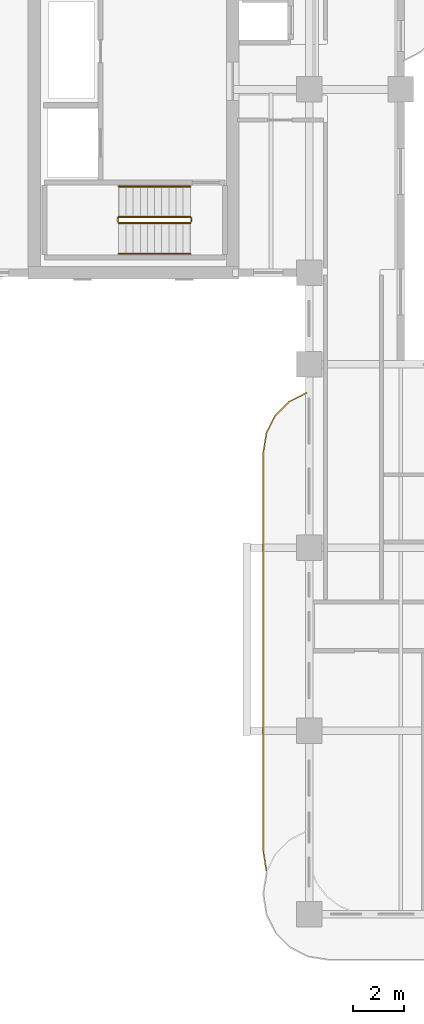
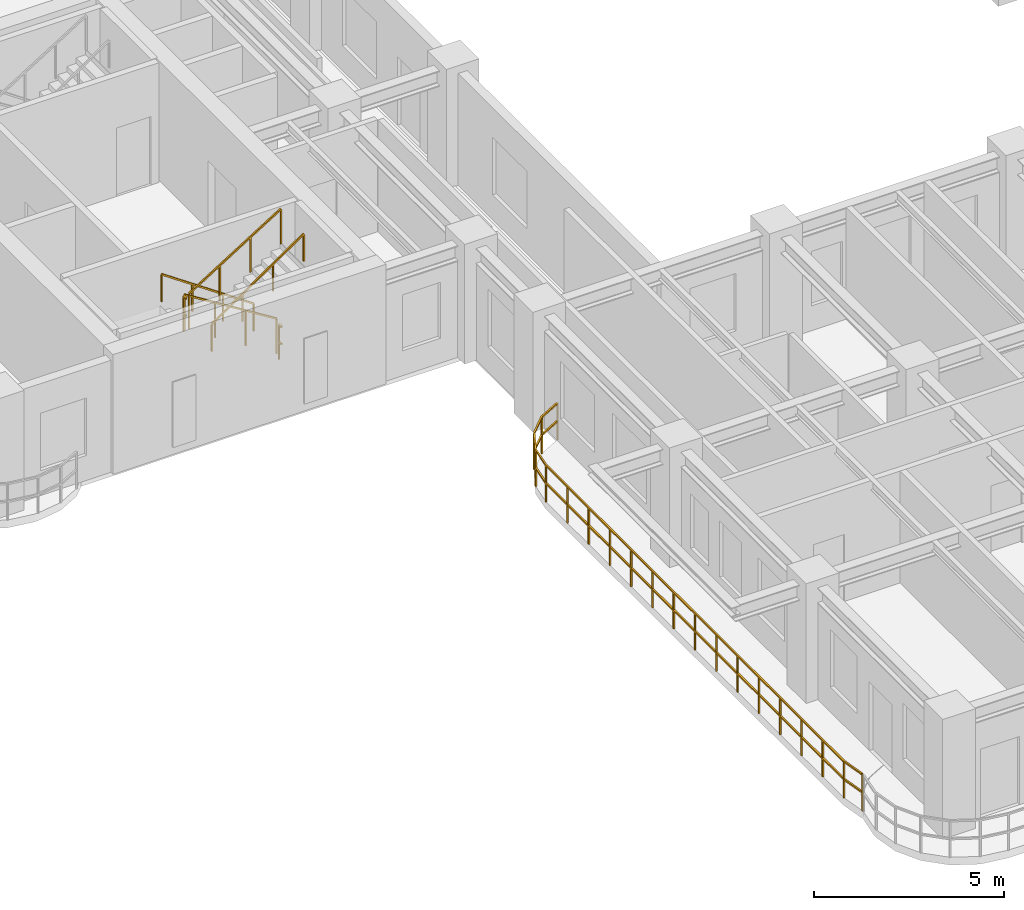
# One storey, part 10 of 13: 7 railings.
"""IFC4 building model written with IfcOpenShell, lengths in metres."""

from ifc_helpers import new_model, si_unit, derived_unit, direction, frame, origin, origin_2d, place, context, subcontext, project, spatial, rectangle, extrude, material, type_object, element, save


model = new_model("IFC4")

# Units and contexts
model_context = context("Model", 3, precision=1e-05, world=origin(), true_north=direction((0.0, 1.0)))
body_context = subcontext(model_context, "Body", "Model", "MODEL_VIEW")
ifc_project = project(units=[si_unit("LENGTHUNIT", "METRE"), si_unit("AREAUNIT", "SQUARE_METRE"), si_unit("VOLUMEUNIT", "CUBIC_METRE"), si_unit("PLANEANGLEUNIT", "RADIAN"), si_unit("MASSUNIT", "GRAM", prefix="KILO"), si_unit("THERMODYNAMICTEMPERATUREUNIT", "KELVIN"), si_unit("POWERUNIT", "WATT"), derived_unit("THERMALTRANSMITTANCEUNIT", [(si_unit("POWERUNIT", "WATT"), 1), (si_unit("AREAUNIT", "SQUARE_METRE"), -1), (si_unit("THERMODYNAMICTEMPERATUREUNIT", "KELVIN"), -1)])], contexts=[model_context])

# Site, building, storey
site_placement = place(None, origin())
site = spatial("IfcSite", under=ifc_project, at=site_placement, CompositionType="ELEMENT")
building_placement = place(site_placement, origin())
building = spatial("IfcBuilding", under=site, at=building_placement, Name="Zahravan Archway Hotel and Residences", CompositionType="ELEMENT")
storey_placement = place(building_placement, frame((0.0, 0.0, 181.10009765625)))
storey = spatial("IfcBuildingStorey", under=building, at=storey_placement, Name="L45", CompositionType="ELEMENT", Elevation=181.10009765625)

# Railings
ifc_material_1 = material(Name="Bronze & Laminated Glass Balustrade", Category="glass")
railing_type_1 = type_object("IfcRailingType", Name="RL-BAL-1200", PredefinedType="BALUSTRADE", material=ifc_material_1)
railing_1_placement = place(storey_placement, frame((12.719970703125, 1.69287109375, 0.0)))
element("IfcRailing", 1, at=railing_1_placement, inside=storey, type_object=railing_type_1, Name="L45 Balustrade RL-SLB-BAL-L45-WA-1", PredefinedType="BALUSTRADE", context=body_context, shape_type="SweptSolid", body=[
    extrude(rectangle(XDim=0.048095703125, YDim=0.048095703125, at=origin_2d()), frame((0.0, 0.0, 1.17578125), z_axis=(-0.156387811283, 0.987695728695, 0.0), x_axis=(-0.987695728695, -0.156387811283, 0.0)), (0.0, 0.0, 1.0), 0.7666015625),
    extrude(rectangle(XDim=0.048095703125, YDim=0.048095703125, at=origin_2d()), frame((0.0, 0.0, 0.60009765625), z_axis=(-0.156387811283, 0.987695728695, 0.0), x_axis=(-0.987695728695, -0.156387811283, 0.0)), (0.0, 0.0, 1.0), 0.7666015625),
    extrude(rectangle(XDim=0.048095703125, YDim=0.048095703125, at=origin_2d()), frame((-0.119873046875, 0.757080078125, 1.17578125), z_axis=(0.0, 1.0, 0.0), x_axis=(-1.0, 0.0, 0.0)), (0.0, 0.0, 1.0), 15.699951171875),
    extrude(rectangle(XDim=0.048095703125, YDim=0.048095703125, at=origin_2d()), frame((-0.119873046875, 0.757080078125, 0.60009765625), z_axis=(0.0, 1.0, 0.0), x_axis=(-1.0, 0.0, 0.0)), (0.0, 0.0, 1.0), 15.699951171875),
    extrude(rectangle(XDim=0.048095703125, YDim=0.048095703125, at=origin_2d()), frame((-0.119873046875, 16.45703125, 1.17578125), z_axis=(0.156387811283, 0.987695728695, 0.0), x_axis=(-0.987695728695, 0.156387811283, 0.0)), (0.0, 0.0, 1.0), 0.7666015625),
    extrude(rectangle(XDim=0.048095703125, YDim=0.048095703125, at=origin_2d()), frame((-0.119873046875, 16.45703125, 0.60009765625), z_axis=(0.156387811283, 0.987695728695, 0.0), x_axis=(-0.987695728695, 0.156387811283, 0.0)), (0.0, 0.0, 1.0), 0.7666015625),
    extrude(rectangle(XDim=0.048095703125, YDim=0.048095703125, at=origin_2d()), frame((0.0, 17.214111328125, 1.17578125), z_axis=(0.453825591531, 0.891090529897, 0.0), x_axis=(-0.891090529897, 0.453825591531, 0.0)), (0.0, 0.0, 1.0), 0.7666015625),
    extrude(rectangle(XDim=0.048095703125, YDim=0.048095703125, at=origin_2d()), frame((0.0, 17.214111328125, 0.60009765625), z_axis=(0.453825591531, 0.891090529897, 0.0), x_axis=(-0.891090529897, 0.453825591531, 0.0)), (0.0, 0.0, 1.0), 0.7666015625),
    extrude(rectangle(XDim=0.048095703125, YDim=0.048095703125, at=origin_2d()), frame((0.347900390625, 17.897216796875, 1.17578125), z_axis=(0.707106781187, 0.707106781187, 0.0), x_axis=(-0.707106781187, 0.707106781187, 0.0)), (0.0, 0.0, 1.0), 0.7666015625),
    extrude(rectangle(XDim=0.048095703125, YDim=0.048095703125, at=origin_2d()), frame((0.347900390625, 17.897216796875, 0.60009765625), z_axis=(0.707106781187, 0.707106781187, 0.0), x_axis=(-0.707106781187, 0.707106781187, 0.0)), (0.0, 0.0, 1.0), 0.7666015625),
    extrude(rectangle(XDim=0.048095703125, YDim=0.048095703125, at=origin_2d()), frame((0.889892578125, 18.439208984375, 1.17578125), z_axis=(0.891090529897, 0.453825591531, 0.0), x_axis=(-0.453825591531, 0.891090529897, 0.0)), (0.0, 0.0, 1.0), 0.7666015625),
    extrude(rectangle(XDim=0.048095703125, YDim=0.048095703125, at=origin_2d()), frame((0.889892578125, 18.439208984375, 0.60009765625), z_axis=(0.891090529897, 0.453825591531, 0.0), x_axis=(-0.453825591531, 0.891090529897, 0.0)), (0.0, 0.0, 1.0), 0.7666015625),
    extrude(rectangle(XDim=0.0419921875, YDim=0.0419921875, at=origin_2d()), origin(), (0.0, 0.0, 1.0), 1.15185546875),
    extrude(rectangle(XDim=0.0419921875, YDim=0.0419921875, at=origin_2d()), frame((-0.119873046875, 0.757080078125, 0.0)), (0.0, 0.0, 1.0), 1.15185546875),
    extrude(rectangle(XDim=0.0419921875, YDim=0.0419921875, at=origin_2d()), frame((-0.119873046875, 1.87841796875, 0.0)), (0.0, 0.0, 1.0), 1.15185546875),
    extrude(rectangle(XDim=0.0419921875, YDim=0.0419921875, at=origin_2d()), frame((-0.119873046875, 3.0, 0.0)), (0.0, 0.0, 1.0), 1.15185546875),
    extrude(rectangle(XDim=0.0419921875, YDim=0.0419921875, at=origin_2d()), frame((-0.119873046875, 4.121337890625, 0.0)), (0.0, 0.0, 1.0), 1.15185546875),
    extrude(rectangle(XDim=0.0419921875, YDim=0.0419921875, at=origin_2d()), frame((-0.119873046875, 5.24267578125, 0.0)), (0.0, 0.0, 1.0), 1.15185546875),
    extrude(rectangle(XDim=0.0419921875, YDim=0.0419921875, at=origin_2d()), frame((-0.119873046875, 6.3642578125, 0.0)), (0.0, 0.0, 1.0), 1.15185546875),
    extrude(rectangle(XDim=0.0419921875, YDim=0.0419921875, at=origin_2d()), frame((-0.119873046875, 7.485595703125, 0.0)), (0.0, 0.0, 1.0), 1.15185546875),
    extrude(rectangle(XDim=0.0419921875, YDim=0.0419921875, at=origin_2d()), frame((-0.119873046875, 8.60693359375, 0.0)), (0.0, 0.0, 1.0), 1.15185546875),
    extrude(rectangle(XDim=0.0419921875, YDim=0.0419921875, at=origin_2d()), frame((-0.119873046875, 9.728515625, 0.0)), (0.0, 0.0, 1.0), 1.15185546875),
    extrude(rectangle(XDim=0.0419921875, YDim=0.0419921875, at=origin_2d()), frame((-0.119873046875, 10.849853515625, 0.0)), (0.0, 0.0, 1.0), 1.15185546875),
    extrude(rectangle(XDim=0.0419921875, YDim=0.0419921875, at=origin_2d()), frame((-0.119873046875, 11.971435546875, 0.0)), (0.0, 0.0, 1.0), 1.15185546875),
    extrude(rectangle(XDim=0.0419921875, YDim=0.0419921875, at=origin_2d()), frame((-0.119873046875, 13.0927734375, 0.0)), (0.0, 0.0, 1.0), 1.15185546875),
    extrude(rectangle(XDim=0.0419921875, YDim=0.0419921875, at=origin_2d()), frame((-0.119873046875, 14.214111328125, 0.0)), (0.0, 0.0, 1.0), 1.15185546875),
    extrude(rectangle(XDim=0.0419921875, YDim=0.0419921875, at=origin_2d()), frame((-0.119873046875, 15.335693359375, 0.0)), (0.0, 0.0, 1.0), 1.15185546875),
    extrude(rectangle(XDim=0.0419921875, YDim=0.0419921875, at=origin_2d()), frame((-0.119873046875, 16.45703125, 0.0)), (0.0, 0.0, 1.0), 1.15185546875),
    extrude(rectangle(XDim=0.0419921875, YDim=0.0419921875, at=origin_2d()), frame((0.0, 17.214111328125, 0.0)), (0.0, 0.0, 1.0), 1.15185546875),
    extrude(rectangle(XDim=0.0419921875, YDim=0.0419921875, at=origin_2d()), frame((0.347900390625, 17.897216796875, 0.0)), (0.0, 0.0, 1.0), 1.15185546875),
    extrude(rectangle(XDim=0.0419921875, YDim=0.0419921875, at=origin_2d()), frame((0.889892578125, 18.439208984375, 0.0)), (0.0, 0.0, 1.0), 1.15185546875),
    extrude(rectangle(XDim=0.0419921875, YDim=0.0419921875, at=origin_2d()), frame((1.572998046875, 18.787109375, 0.0)), (0.0, 0.0, 1.0), 1.15185546875),
])
ifc_material_2 = material(Name="Painted Tubular Steel", Category="steel")
railing_type_2 = type_object("IfcRailingType", Name="RL-STG-1150", PredefinedType="GUARDRAIL", material=ifc_material_2)
railing_2_placement = place(storey_placement, frame((9.72998046875, 27.389892578125, 0.1748046875)))
element("IfcRailing", 2, at=railing_2_placement, inside=storey, type_object=railing_type_2, Name="L45 ST-B1 stair guard 1", PredefinedType="GUARDRAIL", context=body_context, shape_type="SweptSolid", body=[
    extrude(rectangle(XDim=0.048095703125, YDim=0.048095703125, at=origin_2d()), frame((0.0, 0.0, 1.1259765625), z_axis=(-0.848002457836, 0.0, 0.529992293815), x_axis=(0.0, -1.0, 0.0)), (0.0, 0.0, 1.0), 3.302001953125),
    extrude(rectangle(XDim=0.0419921875, YDim=0.0419921875, at=origin_2d()), origin(), (0.0, 0.0, 1.0), 1.101806640625),
    extrude(rectangle(XDim=0.0419921875, YDim=0.0419921875, at=origin_2d()), frame((-0.933349609375, 0.0, 0.583251953125)), (0.0, 0.0, 1.0), 1.101806640625),
    extrude(rectangle(XDim=0.0419921875, YDim=0.0419921875, at=origin_2d()), frame((-1.86669921875, 0.0, 1.166748046875)), (0.0, 0.0, 1.0), 1.101806640625),
    extrude(rectangle(XDim=0.0419921875, YDim=0.0419921875, at=origin_2d()), frame((-2.800048828125, 0.0, 1.75)), (0.0, 0.0, 1.0), 1.101806640625),
])
railing_3_placement = place(storey_placement, frame((6.8798828125, 27.340087890625, 1.9248046875)))
element("IfcRailing", 3, at=railing_3_placement, inside=storey, type_object=railing_type_2, Name="L45 ST-B1 stair guard 2", PredefinedType="GUARDRAIL", context=body_context, shape_type="SweptSolid", body=[
    extrude(rectangle(XDim=0.048095703125, YDim=0.048095703125, at=origin_2d()), frame((0.0, 0.0, 1.1259765625), z_axis=(0.0, -1.0, 0.0), x_axis=(1.0, 0.0, 0.0)), (0.0, 0.0, 1.0), 0.14013671875),
    extrude(rectangle(XDim=0.048095703125, YDim=0.048095703125, at=origin_2d()), frame((0.0, 0.0, 0.574951171875), z_axis=(0.0, -1.0, 0.0), x_axis=(1.0, 0.0, 0.0)), (0.0, 0.0, 1.0), 0.14013671875),
    extrude(rectangle(XDim=0.0419921875, YDim=0.0419921875, at=origin_2d()), origin(), (0.0, 0.0, 1.0), 1.101806640625),
])
railing_4_placement = place(storey_placement, frame((6.929931640625, 27.14990234375, 2.099853515625)))
element("IfcRailing", 4, at=railing_4_placement, inside=storey, type_object=railing_type_2, Name="L45 ST-B1 stair guard 3", PredefinedType="GUARDRAIL", context=body_context, shape_type="SweptSolid", body=[
    extrude(rectangle(XDim=0.048095703125, YDim=0.048095703125, at=origin_2d()), frame((0.0, 0.0, 1.1259765625), z_axis=(0.848002457836, 0.0, 0.529992293815), x_axis=(0.0, 1.0, 0.0)), (0.0, 0.0, 1.0), 3.302001953125),
    extrude(rectangle(XDim=0.0419921875, YDim=0.0419921875, at=origin_2d()), origin(), (0.0, 0.0, 1.0), 1.101806640625),
    extrude(rectangle(XDim=0.0419921875, YDim=0.0419921875, at=origin_2d()), frame((0.933349609375, 0.0, 0.583251953125)), (0.0, 0.0, 1.0), 1.101806640625),
    extrude(rectangle(XDim=0.0419921875, YDim=0.0419921875, at=origin_2d()), frame((1.86669921875, 0.0, 1.166748046875)), (0.0, 0.0, 1.0), 1.101806640625),
    extrude(rectangle(XDim=0.0419921875, YDim=0.0419921875, at=origin_2d()), frame((2.800048828125, 0.0, 1.75)), (0.0, 0.0, 1.0), 1.101806640625),
])
railing_5_placement = place(storey_placement, frame((9.780029296875, 27.340087890625, 0.0)))
element("IfcRailing", 5, at=railing_5_placement, inside=storey, type_object=railing_type_2, Name="L45 ST-B1 stair guard 4", PredefinedType="GUARDRAIL", context=body_context, shape_type="SweptSolid", body=[
    extrude(rectangle(XDim=0.048095703125, YDim=0.048095703125, at=origin_2d()), frame((0.0, 0.0, 1.1259765625), z_axis=(0.0, -1.0, 0.0), x_axis=(1.0, 0.0, 0.0)), (0.0, 0.0, 1.0), 0.14013671875),
    extrude(rectangle(XDim=0.048095703125, YDim=0.048095703125, at=origin_2d()), frame((0.0, 0.0, 0.574951171875), z_axis=(0.0, -1.0, 0.0), x_axis=(1.0, 0.0, 0.0)), (0.0, 0.0, 1.0), 0.14013671875),
    extrude(rectangle(XDim=0.0419921875, YDim=0.0419921875, at=origin_2d()), origin(), (0.0, 0.0, 1.0), 1.101806640625),
])
ifc_material_3 = material(Name="Brushed Stainless Steel", Category="steel")
railing_type_3 = type_object("IfcRailingType", Name="RL-STH-900", PredefinedType="HANDRAIL", material=ifc_material_3)
railing_6_placement = place(storey_placement, frame((9.72998046875, 28.590087890625, 0.1748046875)))
element("IfcRailing", 6, at=railing_6_placement, inside=storey, type_object=railing_type_3, Name="L45 ST-B1 stair handrail 1", PredefinedType="HANDRAIL", context=body_context, shape_type="SweptSolid", body=[
    extrude(rectangle(XDim=0.048095703125, YDim=0.048095703125, at=origin_2d()), frame((0.0, 0.0, 0.8759765625), z_axis=(-0.824039827795, 0.0, 0.566531872191), x_axis=(0.0, -1.0, 0.0)), (0.0, 0.0, 1.0), 3.39794921875),
    extrude(rectangle(XDim=0.0419921875, YDim=0.0419921875, at=origin_2d()), origin(), (0.0, 0.0, 1.0), 0.851806640625),
    extrude(rectangle(XDim=0.0419921875, YDim=0.0419921875, at=origin_2d()), frame((-0.933349609375, 0.0, 0.6416015625)), (0.0, 0.0, 1.0), 0.851806640625),
    extrude(rectangle(XDim=0.0419921875, YDim=0.0419921875, at=origin_2d()), frame((-1.86669921875, 0.0, 1.283447265625)), (0.0, 0.0, 1.0), 0.851806640625),
    extrude(rectangle(XDim=0.0419921875, YDim=0.0419921875, at=origin_2d()), frame((-2.800048828125, 0.0, 1.925048828125)), (0.0, 0.0, 1.0), 0.851806640625),
])
railing_7_placement = place(storey_placement, frame((6.929931640625, 25.949951171875, 2.099853515625)))
element("IfcRailing", 7, at=railing_7_placement, inside=storey, type_object=railing_type_3, Name="L45 ST-B1 stair handrail 2", PredefinedType="HANDRAIL", context=body_context, shape_type="SweptSolid", body=[
    extrude(rectangle(XDim=0.048095703125, YDim=0.048095703125, at=origin_2d()), frame((0.0, 0.0, 0.8759765625), z_axis=(0.824039827795, 0.0, 0.566531872191), x_axis=(0.0, 1.0, 0.0)), (0.0, 0.0, 1.0), 3.39794921875),
    extrude(rectangle(XDim=0.0419921875, YDim=0.0419921875, at=origin_2d()), origin(), (0.0, 0.0, 1.0), 0.851806640625),
    extrude(rectangle(XDim=0.0419921875, YDim=0.0419921875, at=origin_2d()), frame((0.933349609375, 0.0, 0.6416015625)), (0.0, 0.0, 1.0), 0.851806640625),
    extrude(rectangle(XDim=0.0419921875, YDim=0.0419921875, at=origin_2d()), frame((1.86669921875, 0.0, 1.283447265625)), (0.0, 0.0, 1.0), 0.851806640625),
    extrude(rectangle(XDim=0.0419921875, YDim=0.0419921875, at=origin_2d()), frame((2.800048828125, 0.0, 1.925048828125)), (0.0, 0.0, 1.0), 0.851806640625),
])

save(model, "model.ifc")
